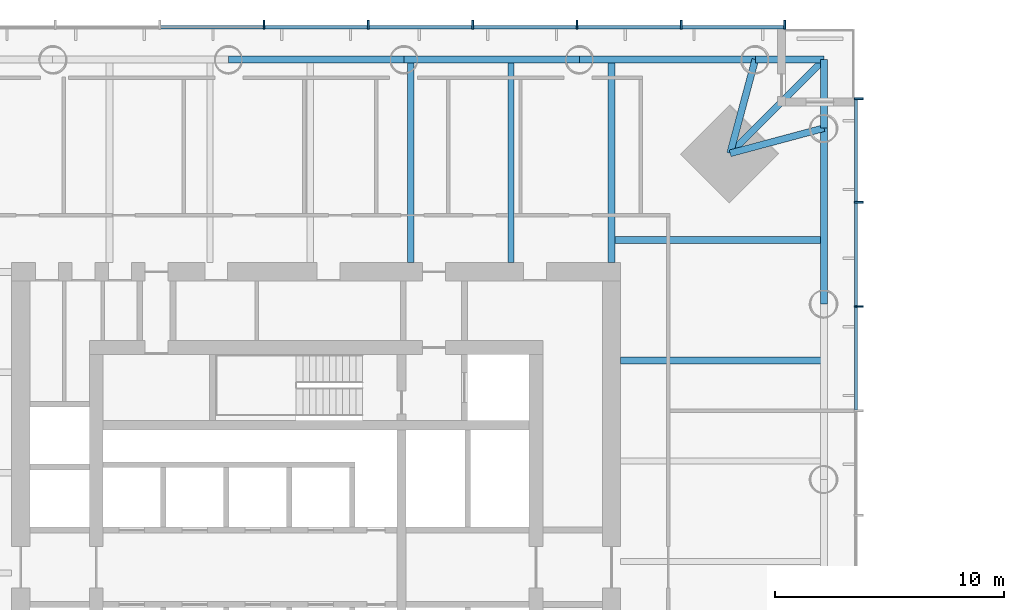
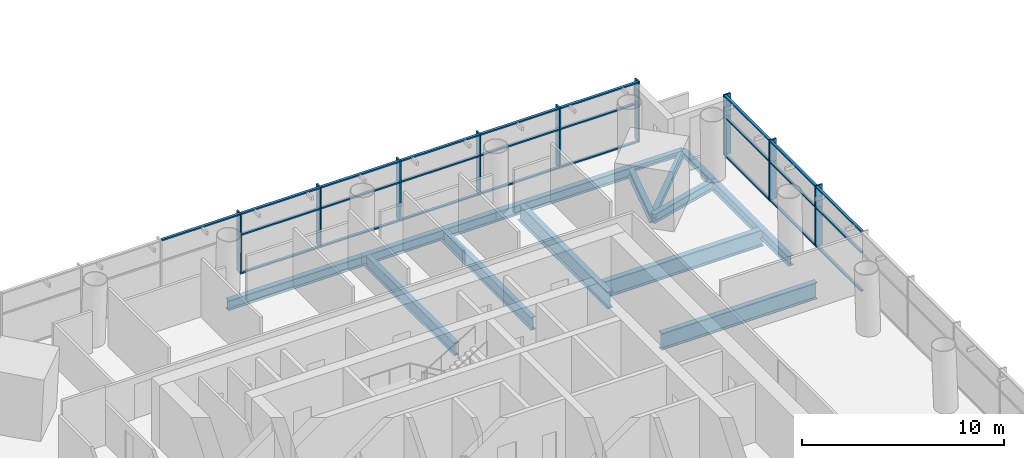
# One storey, part 5 of 24: 43 members, 14 beams, 4 elements without a shape of their own.
"""IFC4 building model written with IfcOpenShell, lengths in metres."""

import ifcopenshell
import ifcopenshell.guid

model = None  # the IFC model being written
_history = None  # IfcOwnerHistory: only IFC2X3 demands one
_inside = {}  # id of a spatial element -> (the spatial element, [elements in it])
_under = {}  # id of a project, library or spatial element -> (it, [spatial elements below it])
_declared = {}  # id of a project -> (the project, [libraries it declares])
_typed = {}  # id of a type object -> (the type object, [elements of that type])
_made_of = {}  # id of a material, layer set ... -> (it, [elements and type objects made of it])


def new_model(schema):
    """Start an empty IFC model of exactly this schema.

    Asked for "IFC4X3", IfcOpenShell would pick the latest addendum, in which some entities
    have other attributes; the version numbers below select the first issue.
    IFC2X3 requires an IfcOwnerHistory on every rooted entity: one is made here for all.
    """
    global model, _history
    if schema == "IFC4X3":
        model = ifcopenshell.file(schema_version=(4, 3, 0, 0))
    else:
        model = ifcopenshell.file(schema=schema)
    _inside.clear()
    _under.clear()
    _declared.clear()
    _typed.clear()
    _made_of.clear()
    _history = None
    if model.schema == "IFC2X3":
        org = make("IfcOrganization", Name="unknown")
        user = make(
            "IfcPersonAndOrganization",
            ThePerson=make("IfcPerson", FamilyName="unknown"),
            TheOrganization=org,
        )
        app = make(
            "IfcApplication",
            ApplicationDeveloper=org,
            Version="unknown",
            ApplicationFullName="unknown",
            ApplicationIdentifier="unknown",
        )
        _history = make(
            "IfcOwnerHistory",
            OwningUser=user,
            OwningApplication=app,
            ChangeAction="ADDED",
            CreationDate=0,
        )
    return model


def make(cls, **values):
    """One entity of the class cls with the attributes given. An attribute that is None is left unset."""
    return model.create_entity(
        cls, **{name: value for name, value in values.items() if value is not None}
    )


def rooted(cls, **values):
    """An entity with a GlobalId (a new one), such as an element, a storey or a relation."""
    return make(cls, GlobalId=ifcopenshell.guid.new(), OwnerHistory=_history, **values)


def si_unit(unit_type, name, prefix=None):
    """IfcSIUnit, for example si_unit("LENGTHUNIT", "METRE", prefix="MILLI")."""
    return make("IfcSIUnit", UnitType=unit_type, Prefix=prefix, Name=name)


def assignment(units):
    """IfcUnitAssignment: the units of a project."""
    return None if units is None else make("IfcUnitAssignment", Units=units)


def point(xyz):
    """IfcCartesianPoint."""
    return None if xyz is None else make("IfcCartesianPoint", Coordinates=xyz)


def direction(xyz):
    """IfcDirection."""
    return None if xyz is None else make("IfcDirection", DirectionRatios=xyz)


def frame(location, z_axis=None, x_axis=None):
    """IfcAxis2Placement3D, a coordinate frame: its origin and axes. An axis left out is left unset."""
    return make(
        "IfcAxis2Placement3D",
        Location=point(location),
        Axis=direction(z_axis),
        RefDirection=direction(x_axis),
    )


def frame_2d(location, x_axis=None):
    """IfcAxis2Placement2D, a coordinate frame in the plane: its origin and x axis."""
    return make(
        "IfcAxis2Placement2D", Location=point(location), RefDirection=direction(x_axis)
    )


def origin():
    """The frame at (0, 0, 0) with its axes left unset."""
    return frame((0.0, 0.0, 0.0))


def origin_2d():
    """The frame at (0, 0) in the plane with its x axis left unset."""
    return frame_2d((0.0, 0.0))


def place(relative_to, where):
    """IfcLocalPlacement: puts the frame where relative to a parent placement (None: the world)."""
    return make(
        "IfcLocalPlacement", PlacementRelTo=relative_to, RelativePlacement=where
    )


def context(
    kind, dimensions, precision=None, world=None, true_north=None, identifier=None
):
    """IfcGeometricRepresentationContext, for example the 3D "Model" context."""
    return make(
        "IfcGeometricRepresentationContext",
        ContextIdentifier=identifier,
        ContextType=kind,
        CoordinateSpaceDimension=dimensions,
        Precision=precision,
        WorldCoordinateSystem=world,
        TrueNorth=true_north,
    )


def subcontext(parent, identifier, kind, view, scale=None):
    """IfcGeometricRepresentationSubContext, for example "Body" below "Model"."""
    return make(
        "IfcGeometricRepresentationSubContext",
        ContextIdentifier=identifier,
        ContextType=kind,
        ParentContext=parent,
        TargetScale=scale,
        TargetView=view,
    )


def project(units=None, contexts=None):
    """IfcProject with its units and contexts."""
    return rooted(
        "IfcProject",
        Name="project",
        RepresentationContexts=contexts,
        UnitsInContext=assignment(units),
    )


def spatial(cls, under=None, at=None, **own):
    """A site, building, storey or space (cls), placed at a placement, below another one or the project."""
    s = rooted(cls, ObjectPlacement=at, **own)
    if under is not None:
        _under.setdefault(under.id(), (under, []))[1].append(s)
    return s


def profile(cls, at=None, kind="AREA", **sizes):
    """A parametric profile (cls). Its sizes go by their IFC names, for example OverallWidth=200.0."""
    return make(cls, ProfileType=kind, Position=at, **sizes)


def rectangle(**sizes):
    """IfcRectangleProfileDef."""
    return profile("IfcRectangleProfileDef", **sizes)


def i_section(**sizes):
    """IfcIShapeProfileDef."""
    return profile("IfcIShapeProfileDef", **sizes)


def extrude(swept, where, along, depth):
    """IfcExtrudedAreaSolid: the profile swept, set in the frame where, extruded along a direction by depth."""
    return make(
        "IfcExtrudedAreaSolid",
        SweptArea=swept,
        Position=where,
        ExtrudedDirection=direction(along),
        Depth=depth,
    )


def shape(context_of_items, identifier, shape_type, items):
    """IfcShapeRepresentation: the items that make up one representation, for example the "Body"."""
    return make(
        "IfcShapeRepresentation",
        ContextOfItems=context_of_items,
        RepresentationIdentifier=identifier,
        RepresentationType=shape_type,
        Items=items,
    )


def material(Name=None, Category=None):
    """IfcMaterial."""
    return make("IfcMaterial", Name=Name, Category=Category)


def material_profile(
    of_material, cross_section, Name=None, Category=None, Priority=None
):
    """IfcMaterialProfile: a cross section and its material."""
    return make(
        "IfcMaterialProfile",
        Name=Name,
        Material=of_material,
        Profile=cross_section,
        Priority=Priority,
        Category=Category,
    )


def profile_set(profiles, Name=None, composite=None):
    """IfcMaterialProfileSet."""
    return make(
        "IfcMaterialProfileSet",
        Name=Name,
        MaterialProfiles=profiles,
        CompositeProfile=composite,
    )


def made_of(thing, what):
    """Note that an element or type object is made of a material, layer set ...; save() writes the relation."""
    if what is not None:
        _made_of.setdefault(what.id(), (what, []))[1].append(thing)
    return thing


def type_object(cls, material=None, **own):
    """A type object (cls), such as IfcWallType, which elements share."""
    return made_of(rooted(cls, **own), material)


def element(
    cls,
    number,
    at=None,
    inside=None,
    cuts=None,
    type_object=None,
    material=None,
    context=None,
    identifier="Body",
    shape_type=None,
    held_by="IfcProductDefinitionShape",
    body=None,
    shapes=None,
    **own,
):
    """One element of the class cls, such as IfcWall. Its Tag is "e" and its number.

    at: its placement. inside: the storey or other place that contains it. cuts: it is an
    opening in that element (IfcRelVoidsElement). A single representation is given by context,
    identifier, shape_type and body (its items); several are given by shapes. held_by: the class
    of the entity that holds the representations. save() writes the other relations.
    """
    e = rooted(cls, Tag="e%d" % number, ObjectPlacement=at, **own)
    if body is not None:
        shapes = [shape(context, identifier, shape_type, body)]
    if shapes is not None:
        e.Representation = make(held_by, Representations=shapes)
    if inside is not None:
        _inside.setdefault(inside.id(), (inside, []))[1].append(e)
    if cuts is not None:
        rooted(
            "IfcRelVoidsElement", RelatingBuildingElement=cuts, RelatedOpeningElement=e
        )
    if type_object is not None:
        _typed.setdefault(type_object.id(), (type_object, []))[1].append(e)
    return made_of(e, material)


def aggregate(whole, parts):
    """IfcRelAggregates: a whole, such as a stair, and the parts it consists of."""
    return rooted("IfcRelAggregates", RelatingObject=whole, RelatedObjects=parts)


def save(model, path):
    """Write the relations noted so far, then the file.

    IfcRelAggregates (storeys below a building ...), IfcRelContainedInSpatialStructure (elements
    in a storey), IfcRelDefinesByType, IfcRelAssociatesMaterial and IfcRelDeclares: one each for
    every whole, place, type object, material and project.
    """
    for whole, parts in _under.values():
        aggregate(whole, parts)
    for where, things in _inside.values():
        rooted(
            "IfcRelContainedInSpatialStructure",
            RelatedElements=things,
            RelatingStructure=where,
        )
    for kind, things in _typed.values():
        rooted("IfcRelDefinesByType", RelatedObjects=things, RelatingType=kind)
    for what, things in _made_of.values():
        rooted("IfcRelAssociatesMaterial", RelatedObjects=things, RelatingMaterial=what)
    for by, libraries in _declared.values():
        rooted("IfcRelDeclares", RelatingContext=by, RelatedDefinitions=libraries)
    model.write(path)


model = new_model("IFC4")

# Units and contexts
model_context = context("Model", 3, precision=1e-05, world=origin(), true_north=direction((0.0, 1.0)))
body_context = subcontext(model_context, "Body", "Model", "MODEL_VIEW")
ifc_project = project(units=[si_unit("LENGTHUNIT", "METRE"), si_unit("AREAUNIT", "SQUARE_METRE"), si_unit("VOLUMEUNIT", "CUBIC_METRE"), si_unit("PLANEANGLEUNIT", "RADIAN"), si_unit("MASSUNIT", "GRAM", prefix="KILO")], contexts=[model_context])

# Site, building, storey
site_placement = place(None, origin())
site = spatial("IfcSite", under=ifc_project, at=site_placement, CompositionType="ELEMENT")
building_placement = place(site_placement, origin())
building = spatial("IfcBuilding", under=site, at=building_placement, Name="Ostroluk Exchange", CompositionType="ELEMENT")
storey_placement = place(building_placement, frame((0.0, 0.0, 78.0)))
storey = spatial("IfcBuildingStorey", under=building, at=storey_placement, Name="L19", CompositionType="ELEMENT", Elevation=78.0)

# Beams
ifc_material_1 = material(Name="Steel S355", Category="steel")
ifc_material_profile_1 = material_profile(ifc_material_1, i_section(OverallWidth=0.300048828125, OverallDepth=0.300048828125, WebThickness=0.010986328125, FlangeThickness=0.01904296875, FilletRadius=0.027099609375, at=origin_2d()), Name="HEB 300")
ifc_profile_set_1 = profile_set([ifc_material_profile_1], Name="Steel S355")
beam_type_1 = type_object("IfcBeamType", Name="Balcony beam HEB 300", PredefinedType="BEAM", material=ifc_profile_set_1)
for number, where, z_axis, x_axis, name in (
    (1, (67.178466796875, 65.178466796875, -0.330078125), (0.0, 1.0, 0.0), (-1.0, 0.0, 0.0), "T1 east balcony beam a"),
    (2, (64.178466796875, 68.178466796875, -0.330078125), (1.0, 0.0, 0.0), (0.0, 1.0, 0.0), "T1 east balcony beam b"),
):
    element("IfcBeam", number, at=place(storey_placement, frame(where, z_axis=z_axis, x_axis=x_axis)), inside=storey, type_object=beam_type_1, Name=name, PredefinedType="BEAM", context=body_context, shape_type="SweptSolid", body=[
        extrude(i_section(OverallWidth=0.300048828125, OverallDepth=0.300048828125, WebThickness=0.010986328125, FlangeThickness=0.01904296875, FilletRadius=0.027099609375, at=origin_2d()), origin(), (0.0, 0.0, 1.0), 3.0),
    ])
beam_1_placement = place(storey_placement, frame((63.07861328125, 64.07861328125, -0.330078125), z_axis=(0.707106781187, 0.707106781187, 0.0), x_axis=(-0.707106781187, 0.707106781187, 0.0)))
element("IfcBeam", 3, at=beam_1_placement, inside=storey, type_object=beam_type_1, Name="T1 east balcony beam c", PredefinedType="BEAM", context=body_context, shape_type="SweptSolid", body=[
    extrude(i_section(OverallWidth=0.300048828125, OverallDepth=0.300048828125, WebThickness=0.010986328125, FlangeThickness=0.01904296875, FilletRadius=0.027099609375, at=origin_2d()), origin(), (0.0, 0.0, 1.0), 5.798095703125),
])
ifc_material_2 = material(Name="Steel S355", Category="steel")
ifc_material_profile_2 = material_profile(ifc_material_2, i_section(OverallWidth=0.300048828125, OverallDepth=0.550048828125, WebThickness=0.014892578125, FlangeThickness=0.029052734375, FilletRadius=0.027099609375, at=origin_2d()), Name="HEB 550")
ifc_profile_set_2 = profile_set([ifc_material_profile_2], Name="Steel S355")
beam_type_2 = type_object("IfcBeamType", Name="Corner edge beam HEB 550", PredefinedType="SPANDREL", material=ifc_profile_set_2)
for number, where, z_axis, x_axis, name in (
    (4, (63.07861328125, 64.07861328125, -0.455078125), (0.965849156574, 0.259105011038, 0.0), (-0.259105011038, 0.965849156574, 0.0), "T1 east corner edge beam a"),
    (5, (63.07861328125, 64.07861328125, -0.455078125), (0.259105011038, 0.965849156574, 0.0), (-0.965849156574, 0.259105011038, 0.0), "T1 east corner edge beam b"),
):
    element("IfcBeam", number, at=place(storey_placement, frame(where, z_axis=z_axis, x_axis=x_axis)), inside=storey, type_object=beam_type_2, Name=name, PredefinedType="SPANDREL", context=body_context, shape_type="SweptSolid", body=[
        extrude(i_section(OverallWidth=0.300048828125, OverallDepth=0.550048828125, WebThickness=0.014892578125, FlangeThickness=0.029052734375, FilletRadius=0.027099609375, at=origin_2d()), origin(), (0.0, 0.0, 1.0), 4.244873046875),
    ])
ifc_material_3 = material(Name="Steel S355", Category="steel")
ifc_material_profile_3 = material_profile(ifc_material_3, i_section(OverallWidth=0.302001953125, OverallDepth=1.008056640625, WebThickness=0.02099609375, FlangeThickness=0.0400390625, FilletRadius=0.030029296875, at=origin_2d()), Name="HEM 1000")
ifc_profile_set_3 = profile_set([ifc_material_profile_3], Name="Steel S355")
beam_type_3 = type_object("IfcBeamType", Name="Floor beam HEM 1000", PredefinedType="BEAM", material=ifc_profile_set_3)
beam_2_placement = place(storey_placement, frame((58.300048828125, 55.024169921875, -0.68408203125), z_axis=(1.0, 0.0, 0.0), x_axis=(0.0, 1.0, 0.0)))
element("IfcBeam", 6, at=beam_2_placement, inside=storey, type_object=beam_type_3, Name="T1 east floor beam 5", PredefinedType="BEAM", context=body_context, shape_type="SweptSolid", body=[
    extrude(i_section(OverallWidth=0.302001953125, OverallDepth=1.008056640625, WebThickness=0.02099609375, FlangeThickness=0.0400390625, FilletRadius=0.030029296875, at=origin_2d()), origin(), (0.0, 0.0, 1.0), 8.87841796875),
])
beam_3_placement = place(storey_placement, frame((57.89990234375, 60.300048828125, -0.68408203125), z_axis=(1.0, 0.0, 0.0), x_axis=(0.0, 1.0, 0.0)))
element("IfcBeam", 7, at=beam_3_placement, inside=storey, type_object=beam_type_3, Name="T1 east floor beam 6", PredefinedType="BEAM", context=body_context, shape_type="SweptSolid", body=[
    extrude(i_section(OverallWidth=0.302001953125, OverallDepth=1.008056640625, WebThickness=0.02099609375, FlangeThickness=0.0400390625, FilletRadius=0.030029296875, at=origin_2d()), origin(), (0.0, 0.0, 1.0), 9.278564453125),
])
ifc_material_4 = material(Name="Steel S355", Category="steel")
ifc_material_profile_4 = material_profile(ifc_material_4, i_section(OverallWidth=0.26806640625, OverallDepth=0.77001953125, WebThickness=0.015625, FlangeThickness=0.025390625, FilletRadius=0.01708984375, at=origin_2d()), Name="IPE 750x196")
ifc_profile_set_4 = profile_set([ifc_material_profile_4], Name="Steel S355")
beam_type_4 = type_object("IfcBeamType", Name="Floor beam IPE 750x196", PredefinedType="BEAM", material=ifc_profile_set_4)
for number, where, z_axis, x_axis, name in (
    (8, (53.51513671875, 59.300048828125, -0.56494140625), (0.0, 1.0, 0.0), (-1.0, 0.0, 0.0), "T1 north floor beam 1"),
    (9, (49.13037109375, 59.300048828125, -0.56494140625), (0.0, 1.0, 0.0), (-1.0, 0.0, 0.0), "T1 north floor beam 2"),
):
    element("IfcBeam", number, at=place(storey_placement, frame(where, z_axis=z_axis, x_axis=x_axis)), inside=storey, type_object=beam_type_4, Name=name, PredefinedType="BEAM", context=body_context, shape_type="SweptSolid", body=[
        extrude(i_section(OverallWidth=0.26806640625, OverallDepth=0.77001953125, WebThickness=0.015625, FlangeThickness=0.025390625, FilletRadius=0.01708984375, at=origin_2d()), origin(), (0.0, 0.0, 1.0), 8.87841796875),
    ])
ifc_material_5 = material(Name="Steel S355", Category="steel")
ifc_material_profile_5 = material_profile(ifc_material_5, i_section(OverallWidth=0.302001953125, OverallDepth=1.008056640625, WebThickness=0.02099609375, FlangeThickness=0.0400390625, FilletRadius=0.030029296875, at=origin_2d()), Name="HEM 1000")
ifc_profile_set_5 = profile_set([ifc_material_profile_5], Name="Steel S355")
beam_type_5 = type_object("IfcBeamType", Name="Girder HEM 1000", PredefinedType="BEAM", material=ifc_profile_set_5)
beam_4_placement = place(storey_placement, frame((57.89990234375, 59.300048828125, -0.68408203125), z_axis=(0.0, 1.0, 0.0), x_axis=(-1.0, 0.0, 0.0)))
element("IfcBeam", 10, at=beam_4_placement, inside=storey, type_object=beam_type_5, Name="T1 east girder", PredefinedType="BEAM", context=body_context, shape_type="SweptSolid", body=[
    extrude(i_section(OverallWidth=0.302001953125, OverallDepth=1.008056640625, WebThickness=0.02099609375, FlangeThickness=0.0400390625, FilletRadius=0.030029296875, at=origin_2d()), origin(), (0.0, 0.0, 1.0), 8.87841796875),
])
ifc_material_6 = material(Name="Steel S355", Category="steel")
ifc_material_profile_6 = material_profile(ifc_material_6, i_section(OverallWidth=0.300048828125, OverallDepth=0.60009765625, WebThickness=0.015380859375, FlangeThickness=0.030029296875, FilletRadius=0.027099609375, at=origin_2d()), Name="HEB 600")
ifc_profile_set_6 = profile_set([ifc_material_profile_6], Name="Steel S355")
beam_type_6 = type_object("IfcBeamType", Name="Moment-connected edge beam HEB 600", PredefinedType="SPANDREL", material=ifc_profile_set_6)
for number, where, z_axis, x_axis, name in (
    (11, (67.178466796875, 57.507080078125, -0.47998046875), (0.0, 1.0, 0.0), (-1.0, 0.0, 0.0), "T1 east edge beam 5"),
    (12, (64.178466796875, 68.178466796875, -0.47998046875), (-1.0, 0.0, 0.0), (0.0, -1.0, 0.0), "T1 north edge beam 1"),
    (13, (56.507080078125, 68.178466796875, -0.47998046875), (-1.0, 0.0, 0.0), (0.0, -1.0, 0.0), "T1 north edge beam 2"),
    (14, (48.835693359375, 68.178466796875, -0.47998046875), (-1.0, 0.0, 0.0), (0.0, -1.0, 0.0), "T1 north edge beam 3"),
):
    element("IfcBeam", number, at=place(storey_placement, frame(where, z_axis=z_axis, x_axis=x_axis)), inside=storey, type_object=beam_type_6, Name=name, PredefinedType="SPANDREL", context=body_context, shape_type="SweptSolid", body=[
        extrude(i_section(OverallWidth=0.300048828125, OverallDepth=0.60009765625, WebThickness=0.015380859375, FlangeThickness=0.030029296875, FilletRadius=0.027099609375, at=origin_2d()), origin(), (0.0, 0.0, 1.0), 7.67138671875),
    ])

# Curtain wall, members
ifc_material_7 = material(Name="Laminated clear glass", Category="glass")
curtain_wall_type = type_object("IfcCurtainWallType", Name="Office tower facade", PredefinedType="USERDEFINED", material=ifc_material_7)
curtain_wall_1_placement = place(storey_placement, origin())
curtain_wall_1 = element("IfcCurtainWall", 15, at=curtain_wall_1_placement, inside=storey, type_object=curtain_wall_type, Name="Office tower east facade L19", ObjectType="UNITISED CURTAIN WALL", PredefinedType="USERDEFINED")
ifc_material_8 = material(Name="Aluminium mullion", Category="aluminium")
ifc_material_profile_7 = material_profile(ifc_material_8, rectangle(XDim=0.14990234375, YDim=0.080078125, at=origin_2d()), Name="Sill transom 80 x 150")
ifc_profile_set_7 = profile_set([ifc_material_profile_7], Name="Aluminium mullion")
member_type_1 = type_object("IfcMemberType", Name="Sill transom 80 x 150", PredefinedType="USERDEFINED", material=ifc_profile_set_7)
member_1_placement = place(storey_placement, frame((68.574951171875, 52.873291015625, 0.0400390625), z_axis=(0.0, 1.0, 0.0), x_axis=(-1.0, 0.0, 0.0)))
member_1 = element("IfcMember", 16, at=member_1_placement, type_object=member_type_1, Name="CW-O1 transom 7.1", ObjectType="TRANSOM", PredefinedType="USERDEFINED", context=body_context, shape_type="SweptSolid", body=[
    extrude(rectangle(XDim=0.14990234375, YDim=0.080078125, at=origin_2d()), origin(), (0.0, 0.0, 1.0), 4.4755859375),
])
member_2_placement = place(storey_placement, frame((68.574951171875, 57.428955078125, 0.0400390625), z_axis=(0.0, 1.0, 0.0), x_axis=(-1.0, 0.0, 0.0)))
member_2 = element("IfcMember", 17, at=member_2_placement, type_object=member_type_1, Name="CW-O1 transom 8.1", ObjectType="TRANSOM", PredefinedType="USERDEFINED", context=body_context, shape_type="SweptSolid", body=[
    extrude(rectangle(XDim=0.14990234375, YDim=0.080078125, at=origin_2d()), origin(), (0.0, 0.0, 1.0), 4.4755859375),
])
member_3_placement = place(storey_placement, frame((68.574951171875, 61.984375, 0.0400390625), z_axis=(0.0, 1.0, 0.0), x_axis=(-1.0, 0.0, 0.0)))
member_3 = element("IfcMember", 18, at=member_3_placement, type_object=member_type_1, Name="CW-O1 transom 9.1", ObjectType="TRANSOM", PredefinedType="USERDEFINED", context=body_context, shape_type="SweptSolid", body=[
    extrude(rectangle(XDim=0.14990234375, YDim=0.080078125, at=origin_2d()), origin(), (0.0, 0.0, 1.0), 4.435546875),
])

curtain_wall_2_placement = place(storey_placement, origin())
curtain_wall_2 = element("IfcCurtainWall", 19, at=curtain_wall_2_placement, inside=storey, type_object=curtain_wall_type, Name="Office tower east spandrel L19", ObjectType="UNITISED CURTAIN WALL", PredefinedType="USERDEFINED")
member_4_placement = place(storey_placement, frame((68.574951171875, 52.873291015625, 2.353515625), z_axis=(0.0, 1.0, 0.0), x_axis=(-1.0, 0.0, 0.0)))
member_4 = element("IfcMember", 20, at=member_4_placement, type_object=member_type_1, Name="CW-O1 transom 7.1", ObjectType="TRANSOM", PredefinedType="USERDEFINED", context=body_context, shape_type="SweptSolid", body=[
    extrude(rectangle(XDim=0.14990234375, YDim=0.080078125, at=origin_2d()), origin(), (0.0, 0.0, 1.0), 4.4755859375),
])
member_5_placement = place(storey_placement, frame((68.574951171875, 52.873291015625, 3.610107421875), z_axis=(0.0, 1.0, 0.0), x_axis=(-1.0, 0.0, 0.0)))
member_5 = element("IfcMember", 21, at=member_5_placement, type_object=member_type_1, Name="CW-O1 transom 7.2", ObjectType="TRANSOM", PredefinedType="USERDEFINED", context=body_context, shape_type="SweptSolid", body=[
    extrude(rectangle(XDim=0.14990234375, YDim=0.080078125, at=origin_2d()), origin(), (0.0, 0.0, 1.0), 4.4755859375),
])
member_6_placement = place(storey_placement, frame((68.574951171875, 57.428955078125, 2.353515625), z_axis=(0.0, 1.0, 0.0), x_axis=(-1.0, 0.0, 0.0)))
member_6 = element("IfcMember", 22, at=member_6_placement, type_object=member_type_1, Name="CW-O1 transom 8.1", ObjectType="TRANSOM", PredefinedType="USERDEFINED", context=body_context, shape_type="SweptSolid", body=[
    extrude(rectangle(XDim=0.14990234375, YDim=0.080078125, at=origin_2d()), origin(), (0.0, 0.0, 1.0), 4.4755859375),
])
member_7_placement = place(storey_placement, frame((68.574951171875, 57.428955078125, 3.610107421875), z_axis=(0.0, 1.0, 0.0), x_axis=(-1.0, 0.0, 0.0)))
member_7 = element("IfcMember", 23, at=member_7_placement, type_object=member_type_1, Name="CW-O1 transom 8.2", ObjectType="TRANSOM", PredefinedType="USERDEFINED", context=body_context, shape_type="SweptSolid", body=[
    extrude(rectangle(XDim=0.14990234375, YDim=0.080078125, at=origin_2d()), origin(), (0.0, 0.0, 1.0), 4.4755859375),
])
member_8_placement = place(storey_placement, frame((68.574951171875, 61.984375, 2.353515625), z_axis=(0.0, 1.0, 0.0), x_axis=(-1.0, 0.0, 0.0)))
member_8 = element("IfcMember", 24, at=member_8_placement, type_object=member_type_1, Name="CW-O1 transom 9.1", ObjectType="TRANSOM", PredefinedType="USERDEFINED", context=body_context, shape_type="SweptSolid", body=[
    extrude(rectangle(XDim=0.14990234375, YDim=0.080078125, at=origin_2d()), origin(), (0.0, 0.0, 1.0), 4.435546875),
])
member_9_placement = place(storey_placement, frame((68.574951171875, 61.984375, 3.610107421875), z_axis=(0.0, 1.0, 0.0), x_axis=(-1.0, 0.0, 0.0)))
member_9 = element("IfcMember", 25, at=member_9_placement, type_object=member_type_1, Name="CW-O1 transom 9.2", ObjectType="TRANSOM", PredefinedType="USERDEFINED", context=body_context, shape_type="SweptSolid", body=[
    extrude(rectangle(XDim=0.14990234375, YDim=0.080078125, at=origin_2d()), origin(), (0.0, 0.0, 1.0), 4.435546875),
])

curtain_wall_3_placement = place(storey_placement, origin())
curtain_wall_3 = element("IfcCurtainWall", 26, at=curtain_wall_3_placement, inside=storey, type_object=curtain_wall_type, Name="Office tower north facade L19", ObjectType="UNITISED CURTAIN WALL", PredefinedType="USERDEFINED")
member_10_placement = place(storey_placement, frame((65.419921875, 69.574951171875, 0.0400390625), z_axis=(-1.0, 0.0, 0.0), x_axis=(0.0, -1.0, 0.0)))
member_10 = element("IfcMember", 27, at=member_10_placement, type_object=member_type_1, Name="CW-O1 transom 1.1", ObjectType="TRANSOM", PredefinedType="USERDEFINED", context=body_context, shape_type="SweptSolid", body=[
    extrude(rectangle(XDim=0.14990234375, YDim=0.080078125, at=origin_2d()), origin(), (0.0, 0.0, 1.0), 4.435546875),
])
member_11_placement = place(storey_placement, frame((60.904541015625, 69.574951171875, 0.0400390625), z_axis=(-1.0, 0.0, 0.0), x_axis=(0.0, -1.0, 0.0)))
member_11 = element("IfcMember", 28, at=member_11_placement, type_object=member_type_1, Name="CW-O1 transom 2.1", ObjectType="TRANSOM", PredefinedType="USERDEFINED", context=body_context, shape_type="SweptSolid", body=[
    extrude(rectangle(XDim=0.14990234375, YDim=0.080078125, at=origin_2d()), origin(), (0.0, 0.0, 1.0), 4.4755859375),
])
member_12_placement = place(storey_placement, frame((56.348876953125, 69.574951171875, 0.0400390625), z_axis=(-1.0, 0.0, 0.0), x_axis=(0.0, -1.0, 0.0)))
member_12 = element("IfcMember", 29, at=member_12_placement, type_object=member_type_1, Name="CW-O1 transom 3.1", ObjectType="TRANSOM", PredefinedType="USERDEFINED", context=body_context, shape_type="SweptSolid", body=[
    extrude(rectangle(XDim=0.14990234375, YDim=0.080078125, at=origin_2d()), origin(), (0.0, 0.0, 1.0), 4.4755859375),
])
member_13_placement = place(storey_placement, frame((51.793212890625, 69.574951171875, 0.0400390625), z_axis=(-1.0, 0.0, 0.0), x_axis=(0.0, -1.0, 0.0)))
member_13 = element("IfcMember", 30, at=member_13_placement, type_object=member_type_1, Name="CW-O1 transom 4.1", ObjectType="TRANSOM", PredefinedType="USERDEFINED", context=body_context, shape_type="SweptSolid", body=[
    extrude(rectangle(XDim=0.14990234375, YDim=0.080078125, at=origin_2d()), origin(), (0.0, 0.0, 1.0), 4.475341796875),
])
member_14_placement = place(storey_placement, frame((47.23779296875, 69.574951171875, 0.0400390625), z_axis=(-1.0, 0.0, 0.0), x_axis=(0.0, -1.0, 0.0)))
member_14 = element("IfcMember", 31, at=member_14_placement, type_object=member_type_1, Name="CW-O1 transom 5.1", ObjectType="TRANSOM", PredefinedType="USERDEFINED", context=body_context, shape_type="SweptSolid", body=[
    extrude(rectangle(XDim=0.14990234375, YDim=0.080078125, at=origin_2d()), origin(), (0.0, 0.0, 1.0), 4.4755859375),
])

curtain_wall_4_placement = place(storey_placement, origin())
curtain_wall_4 = element("IfcCurtainWall", 32, at=curtain_wall_4_placement, inside=storey, type_object=curtain_wall_type, Name="Office tower north spandrel L19", ObjectType="UNITISED CURTAIN WALL", PredefinedType="USERDEFINED")
member_15_placement = place(storey_placement, frame((65.419921875, 69.574951171875, 2.353515625), z_axis=(-1.0, 0.0, 0.0), x_axis=(0.0, -1.0, 0.0)))
member_15 = element("IfcMember", 33, at=member_15_placement, type_object=member_type_1, Name="CW-O1 transom 1.1", ObjectType="TRANSOM", PredefinedType="USERDEFINED", context=body_context, shape_type="SweptSolid", body=[
    extrude(rectangle(XDim=0.14990234375, YDim=0.080078125, at=origin_2d()), origin(), (0.0, 0.0, 1.0), 4.435546875),
])
member_16_placement = place(storey_placement, frame((65.419921875, 69.574951171875, 3.610107421875), z_axis=(-1.0, 0.0, 0.0), x_axis=(0.0, -1.0, 0.0)))
member_16 = element("IfcMember", 34, at=member_16_placement, type_object=member_type_1, Name="CW-O1 transom 1.2", ObjectType="TRANSOM", PredefinedType="USERDEFINED", context=body_context, shape_type="SweptSolid", body=[
    extrude(rectangle(XDim=0.14990234375, YDim=0.080078125, at=origin_2d()), origin(), (0.0, 0.0, 1.0), 4.435546875),
])
member_17_placement = place(storey_placement, frame((60.904541015625, 69.574951171875, 2.353515625), z_axis=(-1.0, 0.0, 0.0), x_axis=(0.0, -1.0, 0.0)))
member_17 = element("IfcMember", 35, at=member_17_placement, type_object=member_type_1, Name="CW-O1 transom 2.1", ObjectType="TRANSOM", PredefinedType="USERDEFINED", context=body_context, shape_type="SweptSolid", body=[
    extrude(rectangle(XDim=0.14990234375, YDim=0.080078125, at=origin_2d()), origin(), (0.0, 0.0, 1.0), 4.4755859375),
])
member_18_placement = place(storey_placement, frame((60.904541015625, 69.574951171875, 3.610107421875), z_axis=(-1.0, 0.0, 0.0), x_axis=(0.0, -1.0, 0.0)))
member_18 = element("IfcMember", 36, at=member_18_placement, type_object=member_type_1, Name="CW-O1 transom 2.2", ObjectType="TRANSOM", PredefinedType="USERDEFINED", context=body_context, shape_type="SweptSolid", body=[
    extrude(rectangle(XDim=0.14990234375, YDim=0.080078125, at=origin_2d()), origin(), (0.0, 0.0, 1.0), 4.4755859375),
])
member_19_placement = place(storey_placement, frame((56.348876953125, 69.574951171875, 2.353515625), z_axis=(-1.0, 0.0, 0.0), x_axis=(0.0, -1.0, 0.0)))
member_19 = element("IfcMember", 37, at=member_19_placement, type_object=member_type_1, Name="CW-O1 transom 3.1", ObjectType="TRANSOM", PredefinedType="USERDEFINED", context=body_context, shape_type="SweptSolid", body=[
    extrude(rectangle(XDim=0.14990234375, YDim=0.080078125, at=origin_2d()), origin(), (0.0, 0.0, 1.0), 4.4755859375),
])
member_20_placement = place(storey_placement, frame((56.348876953125, 69.574951171875, 3.610107421875), z_axis=(-1.0, 0.0, 0.0), x_axis=(0.0, -1.0, 0.0)))
member_20 = element("IfcMember", 38, at=member_20_placement, type_object=member_type_1, Name="CW-O1 transom 3.2", ObjectType="TRANSOM", PredefinedType="USERDEFINED", context=body_context, shape_type="SweptSolid", body=[
    extrude(rectangle(XDim=0.14990234375, YDim=0.080078125, at=origin_2d()), origin(), (0.0, 0.0, 1.0), 4.4755859375),
])
member_21_placement = place(storey_placement, frame((51.793212890625, 69.574951171875, 2.353515625), z_axis=(-1.0, 0.0, 0.0), x_axis=(0.0, -1.0, 0.0)))
member_21 = element("IfcMember", 39, at=member_21_placement, type_object=member_type_1, Name="CW-O1 transom 4.1", ObjectType="TRANSOM", PredefinedType="USERDEFINED", context=body_context, shape_type="SweptSolid", body=[
    extrude(rectangle(XDim=0.14990234375, YDim=0.080078125, at=origin_2d()), origin(), (0.0, 0.0, 1.0), 4.475341796875),
])
member_22_placement = place(storey_placement, frame((51.793212890625, 69.574951171875, 3.610107421875), z_axis=(-1.0, 0.0, 0.0), x_axis=(0.0, -1.0, 0.0)))
member_22 = element("IfcMember", 40, at=member_22_placement, type_object=member_type_1, Name="CW-O1 transom 4.2", ObjectType="TRANSOM", PredefinedType="USERDEFINED", context=body_context, shape_type="SweptSolid", body=[
    extrude(rectangle(XDim=0.14990234375, YDim=0.080078125, at=origin_2d()), origin(), (0.0, 0.0, 1.0), 4.475341796875),
])
member_23_placement = place(storey_placement, frame((47.23779296875, 69.574951171875, 2.353515625), z_axis=(-1.0, 0.0, 0.0), x_axis=(0.0, -1.0, 0.0)))
member_23 = element("IfcMember", 41, at=member_23_placement, type_object=member_type_1, Name="CW-O1 transom 5.1", ObjectType="TRANSOM", PredefinedType="USERDEFINED", context=body_context, shape_type="SweptSolid", body=[
    extrude(rectangle(XDim=0.14990234375, YDim=0.080078125, at=origin_2d()), origin(), (0.0, 0.0, 1.0), 4.4755859375),
])
member_24_placement = place(storey_placement, frame((47.23779296875, 69.574951171875, 3.610107421875), z_axis=(-1.0, 0.0, 0.0), x_axis=(0.0, -1.0, 0.0)))
member_24 = element("IfcMember", 42, at=member_24_placement, type_object=member_type_1, Name="CW-O1 transom 5.2", ObjectType="TRANSOM", PredefinedType="USERDEFINED", context=body_context, shape_type="SweptSolid", body=[
    extrude(rectangle(XDim=0.14990234375, YDim=0.080078125, at=origin_2d()), origin(), (0.0, 0.0, 1.0), 4.4755859375),
])
member_25_placement = place(storey_placement, frame((42.68212890625, 69.574951171875, 3.610107421875), z_axis=(-1.0, 0.0, 0.0), x_axis=(0.0, -1.0, 0.0)))
member_25 = element("IfcMember", 43, at=member_25_placement, type_object=member_type_1, Name="CW-O1 transom 6.2", ObjectType="TRANSOM", PredefinedType="USERDEFINED", context=body_context, shape_type="SweptSolid", body=[
    extrude(rectangle(XDim=0.14990234375, YDim=0.080078125, at=origin_2d()), origin(), (0.0, 0.0, 1.0), 4.475341796875),
])

# Member
ifc_material_9 = material(Name="Aluminium mullion with limestone facing", Category="masonry")
ifc_material_profile_8 = material_profile(ifc_material_9, rectangle(XDim=0.39990234375, YDim=0.080078125, at=origin_2d()), Name="Tracery mullion 80 x 400")
ifc_profile_set_8 = profile_set([ifc_material_profile_8], Name="Aluminium mullion with limestone facing")
member_type_2 = type_object("IfcMemberType", Name="Tracery mullion 80 x 400", PredefinedType="MULLION", material=ifc_profile_set_8)
member_26_placement = place(storey_placement, frame((68.699951171875, 57.388916015625, 0.0), z_axis=(0.0, 0.0, 1.0), x_axis=(-1.0, 0.0, 0.0)))
member_26 = element("IfcMember", 44, at=member_26_placement, type_object=member_type_2, Name="CW-O1 mullion 8", PredefinedType="MULLION", context=body_context, shape_type="SweptSolid", body=[
    extrude(rectangle(XDim=0.39990234375, YDim=0.080078125, at=origin_2d()), origin(), (0.0, 0.0, 1.0), 2.3134765625),
])

member_27_placement = place(storey_placement, frame((68.699951171875, 61.9443359375, 0.0), z_axis=(0.0, 0.0, 1.0), x_axis=(-1.0, 0.0, 0.0)))
member_27 = element("IfcMember", 45, at=member_27_placement, type_object=member_type_2, Name="CW-O1 mullion 9", PredefinedType="MULLION", context=body_context, shape_type="SweptSolid", body=[
    extrude(rectangle(XDim=0.39990234375, YDim=0.080078125, at=origin_2d()), origin(), (0.0, 0.0, 1.0), 2.3134765625),
])

member_28_placement = place(storey_placement, frame((68.699951171875, 66.4599609375, 0.0), z_axis=(0.0, 0.0, 1.0), x_axis=(-1.0, 0.0, 0.0)))
member_28 = element("IfcMember", 46, at=member_28_placement, type_object=member_type_2, Name="CW-O1 mullion 10", PredefinedType="MULLION", context=body_context, shape_type="SweptSolid", body=[
    extrude(rectangle(XDim=0.39990234375, YDim=0.080078125, at=origin_2d()), origin(), (0.0, 0.0, 1.0), 2.3134765625),
])

aggregate(curtain_wall_1, [member_26, member_27, member_28, member_1, member_2, member_3])

member_29_placement = place(storey_placement, frame((68.699951171875, 57.388916015625, 2.3134765625), z_axis=(0.0, 0.0, 1.0), x_axis=(-1.0, 0.0, 0.0)))
member_29 = element("IfcMember", 47, at=member_29_placement, type_object=member_type_2, Name="CW-O1 mullion 8", PredefinedType="MULLION", context=body_context, shape_type="SweptSolid", body=[
    extrude(rectangle(XDim=0.39990234375, YDim=0.080078125, at=origin_2d()), origin(), (0.0, 0.0, 1.0), 1.33642578125),
])

member_30_placement = place(storey_placement, frame((68.699951171875, 61.9443359375, 2.3134765625), z_axis=(0.0, 0.0, 1.0), x_axis=(-1.0, 0.0, 0.0)))
member_30 = element("IfcMember", 48, at=member_30_placement, type_object=member_type_2, Name="CW-O1 mullion 9", PredefinedType="MULLION", context=body_context, shape_type="SweptSolid", body=[
    extrude(rectangle(XDim=0.39990234375, YDim=0.080078125, at=origin_2d()), origin(), (0.0, 0.0, 1.0), 1.33642578125),
])

member_31_placement = place(storey_placement, frame((68.699951171875, 66.4599609375, 2.3134765625), z_axis=(0.0, 0.0, 1.0), x_axis=(-1.0, 0.0, 0.0)))
member_31 = element("IfcMember", 49, at=member_31_placement, type_object=member_type_2, Name="CW-O1 mullion 10", PredefinedType="MULLION", context=body_context, shape_type="SweptSolid", body=[
    extrude(rectangle(XDim=0.39990234375, YDim=0.080078125, at=origin_2d()), origin(), (0.0, 0.0, 1.0), 1.33642578125),
])

aggregate(curtain_wall_2, [member_29, member_30, member_31, member_4, member_5, member_6, member_7, member_8, member_9])

member_32_placement = place(storey_placement, frame((65.4599609375, 69.699951171875, 0.0), z_axis=(0.0, 0.0, 1.0), x_axis=(0.0, -1.0, 0.0)))
member_32 = element("IfcMember", 50, at=member_32_placement, type_object=member_type_2, Name="CW-O1 mullion 1", PredefinedType="MULLION", context=body_context, shape_type="SweptSolid", body=[
    extrude(rectangle(XDim=0.39990234375, YDim=0.080078125, at=origin_2d()), origin(), (0.0, 0.0, 1.0), 2.3134765625),
])

member_33_placement = place(storey_placement, frame((60.9443359375, 69.699951171875, 0.0), z_axis=(0.0, 0.0, 1.0), x_axis=(0.0, -1.0, 0.0)))
member_33 = element("IfcMember", 51, at=member_33_placement, type_object=member_type_2, Name="CW-O1 mullion 2", PredefinedType="MULLION", context=body_context, shape_type="SweptSolid", body=[
    extrude(rectangle(XDim=0.39990234375, YDim=0.080078125, at=origin_2d()), origin(), (0.0, 0.0, 1.0), 2.3134765625),
])

member_34_placement = place(storey_placement, frame((56.388916015625, 69.699951171875, 0.0), z_axis=(0.0, 0.0, 1.0), x_axis=(0.0, -1.0, 0.0)))
member_34 = element("IfcMember", 52, at=member_34_placement, type_object=member_type_2, Name="CW-O1 mullion 3", PredefinedType="MULLION", context=body_context, shape_type="SweptSolid", body=[
    extrude(rectangle(XDim=0.39990234375, YDim=0.080078125, at=origin_2d()), origin(), (0.0, 0.0, 1.0), 2.3134765625),
])

member_35_placement = place(storey_placement, frame((51.833251953125, 69.699951171875, 0.0), z_axis=(0.0, 0.0, 1.0), x_axis=(0.0, -1.0, 0.0)))
member_35 = element("IfcMember", 53, at=member_35_placement, type_object=member_type_2, Name="CW-O1 mullion 4", PredefinedType="MULLION", context=body_context, shape_type="SweptSolid", body=[
    extrude(rectangle(XDim=0.39990234375, YDim=0.080078125, at=origin_2d()), origin(), (0.0, 0.0, 1.0), 2.3134765625),
])

member_36_placement = place(storey_placement, frame((47.27783203125, 69.699951171875, 0.0), z_axis=(0.0, 0.0, 1.0), x_axis=(0.0, -1.0, 0.0)))
member_36 = element("IfcMember", 54, at=member_36_placement, type_object=member_type_2, Name="CW-O1 mullion 5", PredefinedType="MULLION", context=body_context, shape_type="SweptSolid", body=[
    extrude(rectangle(XDim=0.39990234375, YDim=0.080078125, at=origin_2d()), origin(), (0.0, 0.0, 1.0), 2.3134765625),
])

member_37_placement = place(storey_placement, frame((42.72216796875, 69.699951171875, 0.0), z_axis=(0.0, 0.0, 1.0), x_axis=(0.0, -1.0, 0.0)))
member_37 = element("IfcMember", 55, at=member_37_placement, type_object=member_type_2, Name="CW-O1 mullion 6", PredefinedType="MULLION", context=body_context, shape_type="SweptSolid", body=[
    extrude(rectangle(XDim=0.39990234375, YDim=0.080078125, at=origin_2d()), origin(), (0.0, 0.0, 1.0), 2.3134765625),
])

aggregate(curtain_wall_3, [member_32, member_33, member_34, member_35, member_36, member_37, member_10, member_11, member_12, member_13, member_14])

member_38_placement = place(storey_placement, frame((65.4599609375, 69.699951171875, 2.3134765625), z_axis=(0.0, 0.0, 1.0), x_axis=(0.0, -1.0, 0.0)))
member_38 = element("IfcMember", 56, at=member_38_placement, type_object=member_type_2, Name="CW-O1 mullion 1", PredefinedType="MULLION", context=body_context, shape_type="SweptSolid", body=[
    extrude(rectangle(XDim=0.39990234375, YDim=0.080078125, at=origin_2d()), origin(), (0.0, 0.0, 1.0), 1.33642578125),
])

member_39_placement = place(storey_placement, frame((60.9443359375, 69.699951171875, 2.3134765625), z_axis=(0.0, 0.0, 1.0), x_axis=(0.0, -1.0, 0.0)))
member_39 = element("IfcMember", 57, at=member_39_placement, type_object=member_type_2, Name="CW-O1 mullion 2", PredefinedType="MULLION", context=body_context, shape_type="SweptSolid", body=[
    extrude(rectangle(XDim=0.39990234375, YDim=0.080078125, at=origin_2d()), origin(), (0.0, 0.0, 1.0), 1.33642578125),
])

member_40_placement = place(storey_placement, frame((56.388916015625, 69.699951171875, 2.3134765625), z_axis=(0.0, 0.0, 1.0), x_axis=(0.0, -1.0, 0.0)))
member_40 = element("IfcMember", 58, at=member_40_placement, type_object=member_type_2, Name="CW-O1 mullion 3", PredefinedType="MULLION", context=body_context, shape_type="SweptSolid", body=[
    extrude(rectangle(XDim=0.39990234375, YDim=0.080078125, at=origin_2d()), origin(), (0.0, 0.0, 1.0), 1.33642578125),
])

member_41_placement = place(storey_placement, frame((51.833251953125, 69.699951171875, 2.3134765625), z_axis=(0.0, 0.0, 1.0), x_axis=(0.0, -1.0, 0.0)))
member_41 = element("IfcMember", 59, at=member_41_placement, type_object=member_type_2, Name="CW-O1 mullion 4", PredefinedType="MULLION", context=body_context, shape_type="SweptSolid", body=[
    extrude(rectangle(XDim=0.39990234375, YDim=0.080078125, at=origin_2d()), origin(), (0.0, 0.0, 1.0), 1.33642578125),
])

member_42_placement = place(storey_placement, frame((47.27783203125, 69.699951171875, 2.3134765625), z_axis=(0.0, 0.0, 1.0), x_axis=(0.0, -1.0, 0.0)))
member_42 = element("IfcMember", 60, at=member_42_placement, type_object=member_type_2, Name="CW-O1 mullion 5", PredefinedType="MULLION", context=body_context, shape_type="SweptSolid", body=[
    extrude(rectangle(XDim=0.39990234375, YDim=0.080078125, at=origin_2d()), origin(), (0.0, 0.0, 1.0), 1.33642578125),
])

member_43_placement = place(storey_placement, frame((42.72216796875, 69.699951171875, 2.3134765625), z_axis=(0.0, 0.0, 1.0), x_axis=(0.0, -1.0, 0.0)))
member_43 = element("IfcMember", 61, at=member_43_placement, type_object=member_type_2, Name="CW-O1 mullion 6", PredefinedType="MULLION", context=body_context, shape_type="SweptSolid", body=[
    extrude(rectangle(XDim=0.39990234375, YDim=0.080078125, at=origin_2d()), origin(), (0.0, 0.0, 1.0), 1.33642578125),
])

aggregate(curtain_wall_4, [member_38, member_39, member_40, member_41, member_42, member_43, member_15, member_16, member_17, member_18, member_19, member_20, member_21, member_22, member_23, member_24, member_25])

save(model, "model.ifc")
